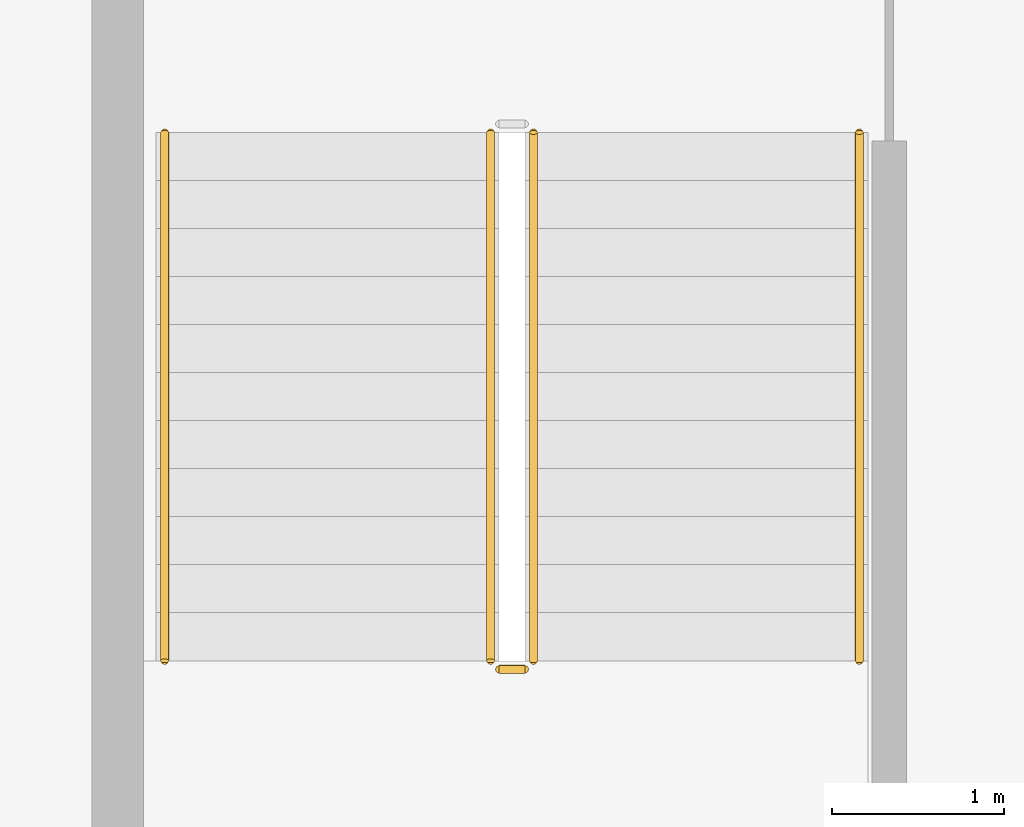
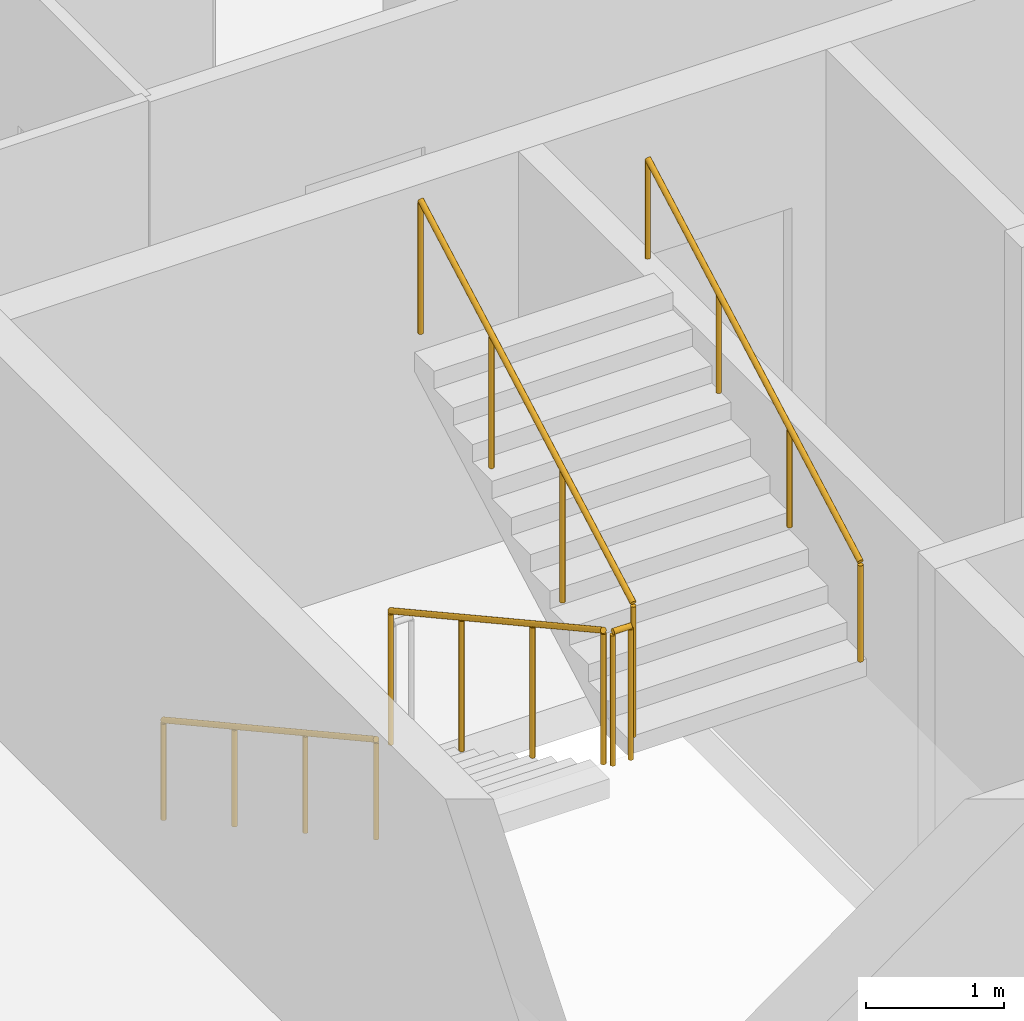
# One storey, part 9 of 11: 5 railings.
"""IFC4 building model written with IfcOpenShell, lengths in metres."""

from ifc_helpers import new_model, si_unit, direction, frame, origin, origin_2d, place, context, subcontext, project, spatial, circle, extrude, material, type_object, element, save


model = new_model("IFC4")

# Units and contexts
model_context = context("Model", 3, precision=1e-05, world=origin(), true_north=direction((0.0, 1.0)))
body_context = subcontext(model_context, "Body", "Model", "MODEL_VIEW")
ifc_project = project(units=[si_unit("LENGTHUNIT", "METRE"), si_unit("AREAUNIT", "SQUARE_METRE"), si_unit("VOLUMEUNIT", "CUBIC_METRE"), si_unit("PLANEANGLEUNIT", "RADIAN"), si_unit("MASSUNIT", "GRAM", prefix="KILO")], contexts=[model_context])

# Site, building, storey
site_placement = place(None, origin())
site = spatial("IfcSite", under=ifc_project, at=site_placement, CompositionType="ELEMENT")
building_placement = place(site_placement, origin())
building = spatial("IfcBuilding", under=site, at=building_placement, Name="Caravel Reach Hotel and Residences", CompositionType="ELEMENT")
storey_placement = place(building_placement, frame((0.0, 0.0, 298.199951171875)))
storey = spatial("IfcBuildingStorey", under=building, at=storey_placement, Name="L76", CompositionType="ELEMENT", Elevation=298.199951171875)

# Railings
ifc_material_1 = material(Name="Steel balustrade with glass infill", Category="steel")
railing_type_1 = type_object("IfcRailingType", Name="Guard 1200", PredefinedType="GUARDRAIL", material=ifc_material_1)
railing_1_placement = place(storey_placement, frame((20.175048828125, 29.35009765625, 0.154296875)))
element("IfcRailing", 1, at=railing_1_placement, inside=storey, type_object=railing_type_1, Name="L76 ST-A stair guard 1", PredefinedType="GUARDRAIL", context=body_context, shape_type="SweptSolid", body=[
    extrude(circle(Radius=0.02392578125, at=origin_2d()), frame((0.0, 0.0, 1.17578125), z_axis=(0.0, -0.876004717809, 0.482302534076), x_axis=(1.0, 0.0, 0.0)), (0.0, 0.0, 1.0), 3.51611328125),
    extrude(circle(Radius=0.02099609375, at=origin_2d()), origin(), (0.0, 0.0, 1.0), 1.15185546875),
    extrude(circle(Radius=0.02099609375, at=origin_2d()), frame((0.0, -1.026611328125, 0.565185546875)), (0.0, 0.0, 1.0), 1.15185546875),
    extrude(circle(Radius=0.02099609375, at=origin_2d()), frame((0.0, -2.053466796875, 1.130615234375)), (0.0, 0.0, 1.0), 1.15185546875),
    extrude(circle(Radius=0.02099609375, at=origin_2d()), frame((0.0, -3.080078125, 1.69580078125)), (0.0, 0.0, 1.0), 1.15185546875),
])
railing_2_placement = place(storey_placement, frame((20.22509765625, 26.219970703125, 1.85009765625)))
element("IfcRailing", 2, at=railing_2_placement, inside=storey, type_object=railing_type_1, Name="L76 ST-A stair guard 2", PredefinedType="GUARDRAIL", context=body_context, shape_type="SweptSolid", body=[
    extrude(circle(Radius=0.02392578125, at=origin_2d()), frame((0.0, 0.0, 1.17578125), z_axis=(1.0, 0.0, 0.0), x_axis=(0.0, 1.0, 0.0)), (0.0, 0.0, 1.0), 0.14990234375),
    extrude(circle(Radius=0.02099609375, at=origin_2d()), origin(), (0.0, 0.0, 1.0), 1.15185546875),
    extrude(circle(Radius=0.02099609375, at=origin_2d()), frame((0.14990234375, 0.0, 0.0)), (0.0, 0.0, 1.0), 1.15185546875),
])
railing_3_placement = place(storey_placement, frame((20.425048828125, 26.27001953125, 2.004150390625)))
element("IfcRailing", 3, at=railing_3_placement, inside=storey, type_object=railing_type_1, Name="L76 ST-A stair guard 3", PredefinedType="GUARDRAIL", context=body_context, shape_type="SweptSolid", body=[
    extrude(circle(Radius=0.02392578125, at=origin_2d()), frame((0.0, 0.0, 1.17578125), z_axis=(0.0, 0.876004717809, 0.482302534076), x_axis=(-1.0, 0.0, 0.0)), (0.0, 0.0, 1.0), 3.51611328125),
    extrude(circle(Radius=0.02099609375, at=origin_2d()), origin(), (0.0, 0.0, 1.0), 1.15185546875),
    extrude(circle(Radius=0.02099609375, at=origin_2d()), frame((0.0, 1.026611328125, 0.565185546875)), (0.0, 0.0, 1.0), 1.15185546875),
    extrude(circle(Radius=0.02099609375, at=origin_2d()), frame((0.0, 2.053466796875, 1.130615234375)), (0.0, 0.0, 1.0), 1.15185546875),
    extrude(circle(Radius=0.02099609375, at=origin_2d()), frame((0.0, 3.080078125, 1.69580078125)), (0.0, 0.0, 1.0), 1.15185546875),
])
ifc_material_2 = material(Name="Stainless steel handrail", Category="steel")
railing_type_2 = type_object("IfcRailingType", Name="Handrail 900", PredefinedType="HANDRAIL", material=ifc_material_2)
railing_4_placement = place(storey_placement, frame((18.27490234375, 29.35009765625, 0.154296875)))
element("IfcRailing", 4, at=railing_4_placement, inside=storey, type_object=railing_type_2, Name="L76 ST-A stair handrail 1", PredefinedType="HANDRAIL", context=body_context, shape_type="SweptSolid", body=[
    extrude(circle(Radius=0.02392578125, at=origin_2d()), frame((0.0, 0.0, 0.8759765625), z_axis=(0.0, -0.876004717809, 0.482302534076), x_axis=(1.0, 0.0, 0.0)), (0.0, 0.0, 1.0), 3.51611328125),
    extrude(circle(Radius=0.02099609375, at=origin_2d()), origin(), (0.0, 0.0, 1.0), 0.851806640625),
    extrude(circle(Radius=0.02099609375, at=origin_2d()), frame((0.0, -1.026611328125, 0.565185546875)), (0.0, 0.0, 1.0), 0.851806640625),
    extrude(circle(Radius=0.02099609375, at=origin_2d()), frame((0.0, -2.053466796875, 1.130615234375)), (0.0, 0.0, 1.0), 0.851806640625),
    extrude(circle(Radius=0.02099609375, at=origin_2d()), frame((0.0, -3.080078125, 1.69580078125)), (0.0, 0.0, 1.0), 0.851806640625),
])
railing_5_placement = place(storey_placement, frame((22.324951171875, 26.27001953125, 2.004150390625)))
element("IfcRailing", 5, at=railing_5_placement, inside=storey, type_object=railing_type_2, Name="L76 ST-A stair handrail 2", PredefinedType="HANDRAIL", context=body_context, shape_type="SweptSolid", body=[
    extrude(circle(Radius=0.02392578125, at=origin_2d()), frame((0.0, 0.0, 0.8759765625), z_axis=(0.0, 0.876004717809, 0.482302534076), x_axis=(-1.0, 0.0, 0.0)), (0.0, 0.0, 1.0), 3.51611328125),
    extrude(circle(Radius=0.02099609375, at=origin_2d()), origin(), (0.0, 0.0, 1.0), 0.851806640625),
    extrude(circle(Radius=0.02099609375, at=origin_2d()), frame((0.0, 1.026611328125, 0.565185546875)), (0.0, 0.0, 1.0), 0.851806640625),
    extrude(circle(Radius=0.02099609375, at=origin_2d()), frame((0.0, 2.053466796875, 1.130615234375)), (0.0, 0.0, 1.0), 0.851806640625),
    extrude(circle(Radius=0.02099609375, at=origin_2d()), frame((0.0, 3.080078125, 1.69580078125)), (0.0, 0.0, 1.0), 0.851806640625),
])

save(model, "model.ifc")
